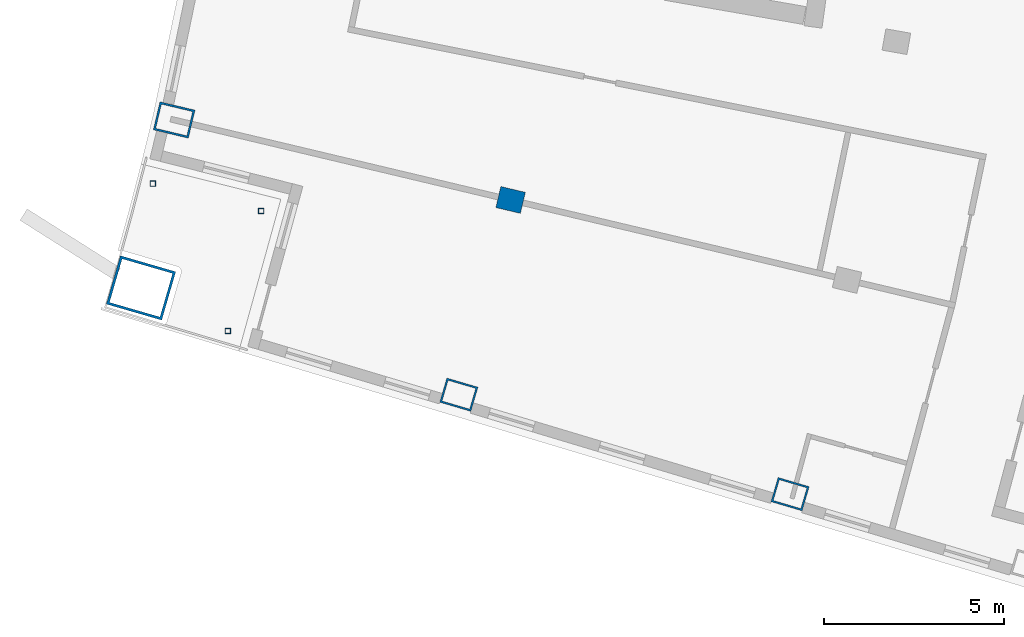
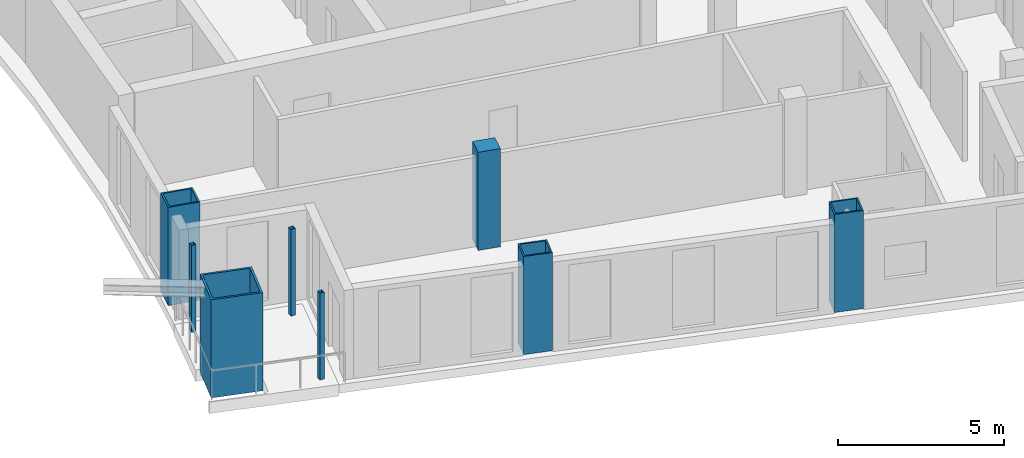
# One storey, part 1 of 17: 8 columns.
"""IFC4 building model written with IfcOpenShell, lengths in metres."""

from ifc_helpers import new_model, si_unit, direction, frame, origin, origin_2d, place, context, subcontext, project, spatial, rectangle, hollow_rectangle, extrude, material, material_profile, profile_set, type_object, element, save


model = new_model("IFC4")

# Units and contexts
model_context = context("Model", 3, precision=1e-05, world=origin(), true_north=direction((0.0, 1.0)))
body_context = subcontext(model_context, "Body", "Model", "MODEL_VIEW")
ifc_project = project(units=[si_unit("LENGTHUNIT", "METRE"), si_unit("AREAUNIT", "SQUARE_METRE"), si_unit("VOLUMEUNIT", "CUBIC_METRE"), si_unit("PLANEANGLEUNIT", "RADIAN"), si_unit("MASSUNIT", "GRAM", prefix="KILO")], contexts=[model_context])

# Site, building, storey
site_placement = place(None, origin())
site = spatial("IfcSite", under=ifc_project, at=site_placement, CompositionType="ELEMENT")
building_placement = place(site_placement, origin())
building = spatial("IfcBuilding", under=site, at=building_placement, Name="Alderwake Tower", CompositionType="ELEMENT")
storey_placement = place(building_placement, frame((0.0, 0.0, 260.0)))
storey = spatial("IfcBuildingStorey", under=building, at=storey_placement, Name="L64", CompositionType="ELEMENT", Elevation=260.0)

# Columns
ifc_material_1 = material(Name="Steel ASTM A572 Grade 50 concrete filled C70/85", Category="concrete")
ifc_material_profile_1 = material_profile(ifc_material_1, hollow_rectangle(XDim=0.699951171875, YDim=0.89990234375, WallThickness=0.050048828125, at=origin_2d()), Name="BOX 900X700X50")
ifc_profile_set_1 = profile_set([ifc_material_profile_1], Name="Steel ASTM A572 Grade 50 concrete filled C70/85")
column_type_1 = type_object("IfcColumnType", Name="End column Z5", PredefinedType="COLUMN", material=ifc_profile_set_1)
for number, where, z_axis, x_axis, name in (
    (1, (21.885498046875, 31.03759765625, 0.0), (0.0, 0.0, 1.0), (0.282132160283, 0.95937554906, 0.0), "Column R02-C1"),
    (2, (31.080322265625, 28.27685546875, 0.0), (0.0, 0.0, 1.0), (0.282582549822, 0.959242984095, 0.0), "Column R02-C2"),
):
    element("IfcColumn", number, at=place(storey_placement, frame(where, z_axis=z_axis, x_axis=x_axis)), inside=storey, type_object=column_type_1, Name=name, PredefinedType="COLUMN", context=body_context, shape_type="SweptSolid", body=[
        extrude(hollow_rectangle(XDim=0.699951171875, YDim=0.89990234375, WallThickness=0.050048828125, at=origin_2d()), origin(), (0.0, 0.0, 1.0), 3.60009765625),
    ])
ifc_material_2 = material(Name="Concrete C70/85", Category="concrete")
ifc_material_profile_2 = material_profile(ifc_material_2, rectangle(XDim=0.60009765625, YDim=0.699951171875, at=origin_2d()), Name="RC 700X600")
ifc_profile_set_2 = profile_set([ifc_material_profile_2], Name="Concrete C70/85")
column_type_2 = type_object("IfcColumnType", Name="Interior column Z5", PredefinedType="COLUMN", material=ifc_profile_set_2)
column_1_placement = place(storey_placement, frame((23.322021484375, 36.444091796875, 0.0), z_axis=(0.0, 0.0, 1.0), x_axis=(0.231221547198, 0.972901123502, 0.0)))
element("IfcColumn", 3, at=column_1_placement, inside=storey, type_object=column_type_2, Name="Column R03-C1", PredefinedType="COLUMN", context=body_context, shape_type="SweptSolid", body=[
    extrude(rectangle(XDim=0.60009765625, YDim=0.699951171875, at=origin_2d()), origin(), (0.0, 0.0, 1.0), 3.60009765625),
])
ifc_material_3 = material(Name="Steel ASTM A500 Grade C", Category="steel")
ifc_material_profile_3 = material_profile(ifc_material_3, hollow_rectangle(XDim=0.15234375, YDim=0.15234375, WallThickness=0.0087890625, at=origin_2d()), Name="HSS6X6X3/8")
ifc_profile_set_3 = profile_set([ifc_material_profile_3], Name="Steel ASTM A500 Grade C")
column_type_3 = type_object("IfcColumnType", Name="Light post HSS6X6X3/8", PredefinedType="COLUMN", material=ifc_profile_set_3)
for number, where, z_axis, x_axis, name in (
    (4, (13.3896484375, 36.896484375, 0.0), (0.0, 0.0, 1.0), (1.0, 0.0, 0.0), "Terrace post RS1"),
    (5, (15.47412109375, 32.805908203125, 0.0), (0.0, 0.0, 1.0), (1.0, 0.0, 0.0), "Terrace post RS2"),
    (6, (16.39501953125, 36.135986328125, 0.0), (0.0, 0.0, 1.0), (1.0, 0.0, 0.0), "Terrace post RS3"),
):
    element("IfcColumn", number, at=place(storey_placement, frame(where, z_axis=z_axis, x_axis=x_axis)), inside=storey, type_object=column_type_3, Name=name, PredefinedType="COLUMN", context=body_context, shape_type="SweptSolid", body=[
        extrude(hollow_rectangle(XDim=0.15234375, YDim=0.15234375, WallThickness=0.0087890625, at=origin_2d()), origin(), (0.0, 0.0, 1.0), 3.179931640625),
    ])
ifc_material_4 = material(Name="Steel ASTM A572 Grade 50 concrete filled C70/85", Category="concrete")
ifc_material_profile_4 = material_profile(ifc_material_4, hollow_rectangle(XDim=1.39990234375, YDim=1.60009765625, WallThickness=0.070068359375, at=origin_2d()), Name="BOX 1600X1400X70")
ifc_profile_set_4 = profile_set([ifc_material_profile_4], Name="Steel ASTM A572 Grade 50 concrete filled C70/85")
column_type_4 = type_object("IfcColumnType", Name="Mega column Z5", PredefinedType="COLUMN", material=ifc_profile_set_4)
column_2_placement = place(storey_placement, frame((13.06298828125, 34.00244140625, 0.0), z_axis=(0.0, 0.0, 1.0), x_axis=(0.278612301868, 0.960403657452, 0.0)))
element("IfcColumn", 7, at=column_2_placement, inside=storey, type_object=column_type_4, Name="Column R02-C0", PredefinedType="COLUMN", context=body_context, shape_type="SweptSolid", body=[
    extrude(hollow_rectangle(XDim=1.39990234375, YDim=1.60009765625, WallThickness=0.070068359375, at=origin_2d()), origin(), (0.0, 0.0, 1.0), 3.60009765625),
])
ifc_material_5 = material(Name="Steel ASTM A572 Grade 50 concrete filled C70/85", Category="concrete")
ifc_material_profile_5 = material_profile(ifc_material_5, hollow_rectangle(XDim=0.800048828125, YDim=1.0, WallThickness=0.054931640625, at=origin_2d()), Name="BOX 1000X800X55")
ifc_profile_set_5 = profile_set([ifc_material_profile_5], Name="Steel ASTM A572 Grade 50 concrete filled C70/85")
column_type_5 = type_object("IfcColumnType", Name="Perimeter column Z5", PredefinedType="COLUMN", material=ifc_profile_set_5)
column_3_placement = place(storey_placement, frame((13.982177734375, 38.6640625, 0.0), z_axis=(0.0, 0.0, 1.0), x_axis=(0.231221547198, 0.972901123502, 0.0)))
element("IfcColumn", 8, at=column_3_placement, inside=storey, type_object=column_type_5, Name="Column R03-C0", PredefinedType="COLUMN", context=body_context, shape_type="SweptSolid", body=[
    extrude(hollow_rectangle(XDim=0.800048828125, YDim=1.0, WallThickness=0.054931640625, at=origin_2d()), origin(), (0.0, 0.0, 1.0), 3.60009765625),
])

save(model, "model.ifc")
